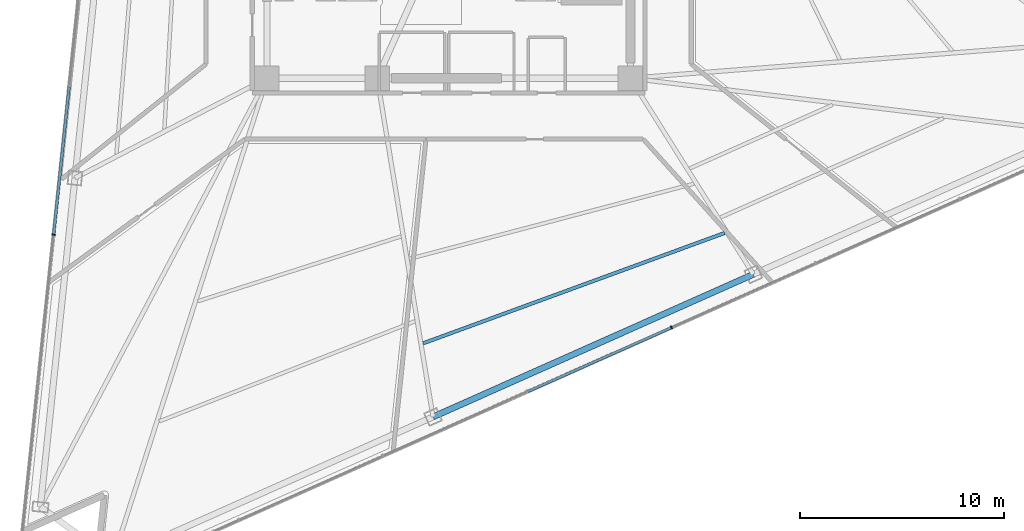
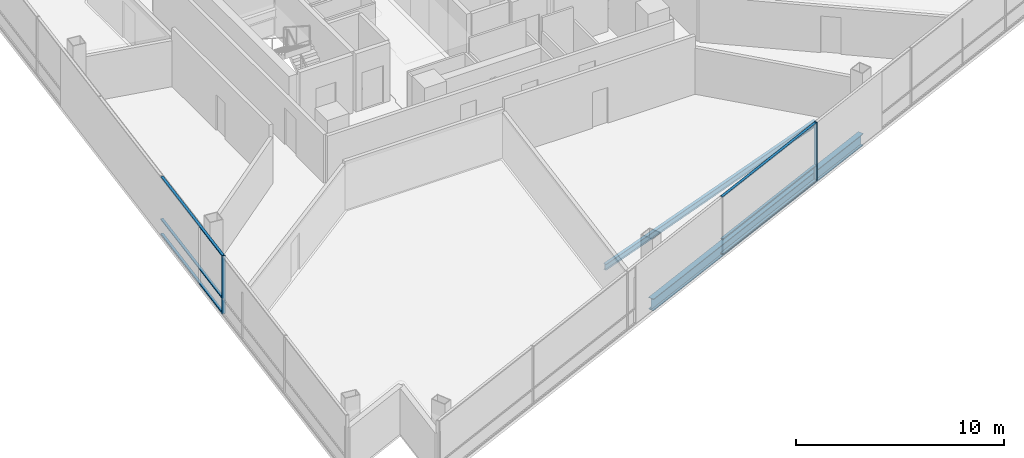
# One storey, part 3 of 19: 8 members, 2 beams, 2 elements without a shape of their own.
"""IFC4 building model written with IfcOpenShell, lengths in metres."""

from ifc_helpers import new_model, si_unit, direction, frame, origin, origin_2d, place, context, subcontext, project, spatial, rectangle, i_section, extrude, material, layer, layer_set, material_profile, profile_set, type_object, element, aggregate, save


model = new_model("IFC4")

# Units and contexts
model_context = context("Model", 3, precision=1e-05, world=origin(), true_north=direction((0.0, 1.0)))
body_context = subcontext(model_context, "Body", "Model", "MODEL_VIEW")
ifc_project = project(units=[si_unit("LENGTHUNIT", "METRE"), si_unit("AREAUNIT", "SQUARE_METRE"), si_unit("VOLUMEUNIT", "CUBIC_METRE"), si_unit("PLANEANGLEUNIT", "RADIAN"), si_unit("MASSUNIT", "GRAM", prefix="KILO")], contexts=[model_context])

# Site, building, storey
site_placement = place(None, origin())
site = spatial("IfcSite", under=ifc_project, at=site_placement, CompositionType="ELEMENT")
building_placement = place(site_placement, origin())
building = spatial("IfcBuilding", under=site, at=building_placement, Name="Tharavind Bronze Gate", CompositionType="ELEMENT")
storey_placement = place(building_placement, frame((0.0, 0.0, 126.85009765625)))
storey = spatial("IfcBuildingStorey", under=building, at=storey_placement, Name="L32", CompositionType="ELEMENT", Elevation=126.85009765625)

# Curtain wall, member
ifc_material_1 = material(Name="Anodised Bronze Aluminium", Category="aluminium")
ifc_layer = layer(ifc_material_1, 0.219970703125)
ifc_layer_set = layer_set([ifc_layer], Name="Anodised Bronze Aluminium")
curtain_wall_type = type_object("IfcCurtainWallType", Name="UNITISED CURTAIN WALL LOWER OFFICE", PredefinedType="USERDEFINED", material=ifc_layer_set)
curtain_wall_1_placement = place(storey_placement, origin())
curtain_wall_1 = element("IfcCurtainWall", 1, at=curtain_wall_1_placement, inside=storey, type_object=curtain_wall_type, Name="L32 unitised curtain wall lower office CW-L32-S1", ObjectType="UNITISED CURTAIN WALL", PredefinedType="USERDEFINED")
member_type_1 = type_object("IfcMemberType", Name="CURTAIN WALL BRONZE MULLION 65X180", PredefinedType="MULLION", material=ifc_material_1)
member_1_placement = place(storey_placement, frame((-19.349853515625, -15.2646484375, 0.0), z_axis=(0.0, 0.0, 1.0), x_axis=(-0.104526727499, -0.994522077803, 0.0)))
member_1 = element("IfcMember", 2, at=member_1_placement, type_object=member_type_1, Name="CW-L32-S1 mullion 6", PredefinedType="MULLION", context=body_context, shape_type="SweptSolid", body=[
    extrude(rectangle(XDim=0.06494140625, YDim=0.179931640625, at=origin_2d()), origin(), (0.0, 0.0, 1.0), 3.409912109375),
])

curtain_wall_2_placement = place(storey_placement, origin())
curtain_wall_2 = element("IfcCurtainWall", 3, at=curtain_wall_2_placement, inside=storey, type_object=curtain_wall_type, Name="L32 unitised curtain wall lower office CW-L32-S2", ObjectType="UNITISED CURTAIN WALL", PredefinedType="USERDEFINED")
member_2_placement = place(storey_placement, frame((10.913330078125, -19.80859375, 0.0), z_axis=(0.0, 0.0, 1.0), x_axis=(0.913545457643, 0.406736643076, 0.0)))
member_2 = element("IfcMember", 4, at=member_2_placement, type_object=member_type_1, Name="CW-L32-S2 mullion 5", PredefinedType="MULLION", context=body_context, shape_type="SweptSolid", body=[
    extrude(rectangle(XDim=0.06494140625, YDim=0.179931640625, at=origin_2d()), origin(), (0.0, 0.0, 1.0), 3.409912109375),
])

# Member
member_type_2 = type_object("IfcMemberType", Name="CURTAIN WALL BRONZE TRANSOM 65X140", PredefinedType="USERDEFINED", material=ifc_material_1)
member_3_placement = place(storey_placement, frame((-18.967529296875, -11.628173828125, 0.0), z_axis=(0.0, 0.0, 1.0), x_axis=(-0.104526727499, -0.994522077803, 0.0)))
member_3 = element("IfcMember", 5, at=member_3_placement, type_object=member_type_2, Name="CW-L32-S1 transom TB5", ObjectType="TRANSOM", PredefinedType="USERDEFINED", context=body_context, shape_type="SweptSolid", body=[
    extrude(rectangle(XDim=7.26025390625, YDim=0.139892578125, at=origin_2d()), origin(), (0.0, 0.0, 1.0), 0.06494140625),
])

member_4_placement = place(storey_placement, frame((-18.967529296875, -11.628173828125, 0.867431640625), z_axis=(0.0, 0.0, 1.0), x_axis=(-0.104526727499, -0.994522077803, 0.0)))
member_4 = element("IfcMember", 6, at=member_4_placement, type_object=member_type_2, Name="CW-L32-S1 transom TS5", ObjectType="TRANSOM", PredefinedType="USERDEFINED", context=body_context, shape_type="SweptSolid", body=[
    extrude(rectangle(XDim=7.26025390625, YDim=0.139892578125, at=origin_2d()), origin(), (0.0, 0.0, 1.0), 0.06494140625),
])

member_5_placement = place(storey_placement, frame((-18.967529296875, -11.628173828125, 3.344970703125), z_axis=(0.0, 0.0, 1.0), x_axis=(-0.104526727499, -0.994522077803, 0.0)))
member_5 = element("IfcMember", 7, at=member_5_placement, type_object=member_type_2, Name="CW-L32-S1 transom TT5", ObjectType="TRANSOM", PredefinedType="USERDEFINED", context=body_context, shape_type="SweptSolid", body=[
    extrude(rectangle(XDim=7.26025390625, YDim=0.139892578125, at=origin_2d()), origin(), (0.0, 0.0, 1.0), 0.06494140625),
])

aggregate(curtain_wall_1, [member_1, member_3, member_4, member_5])

member_6_placement = place(storey_placement, frame((7.38232421875, -21.380859375, 0.0), z_axis=(0.0, 0.0, 1.0), x_axis=(0.913545457643, 0.406736643076, 0.0)))
member_6 = element("IfcMember", 8, at=member_6_placement, type_object=member_type_2, Name="CW-L32-S2 transom TB4", ObjectType="TRANSOM", PredefinedType="USERDEFINED", context=body_context, shape_type="SweptSolid", body=[
    extrude(rectangle(XDim=7.677490234375, YDim=0.139892578125, at=origin_2d()), origin(), (0.0, 0.0, 1.0), 0.06494140625),
])

member_7_placement = place(storey_placement, frame((7.38232421875, -21.380859375, 0.867431640625), z_axis=(0.0, 0.0, 1.0), x_axis=(0.913545457643, 0.406736643076, 0.0)))
member_7 = element("IfcMember", 9, at=member_7_placement, type_object=member_type_2, Name="CW-L32-S2 transom TS4", ObjectType="TRANSOM", PredefinedType="USERDEFINED", context=body_context, shape_type="SweptSolid", body=[
    extrude(rectangle(XDim=7.677490234375, YDim=0.139892578125, at=origin_2d()), origin(), (0.0, 0.0, 1.0), 0.06494140625),
])

member_8_placement = place(storey_placement, frame((7.38232421875, -21.380859375, 3.344970703125), z_axis=(0.0, 0.0, 1.0), x_axis=(0.913545457643, 0.406736643076, 0.0)))
member_8 = element("IfcMember", 10, at=member_8_placement, type_object=member_type_2, Name="CW-L32-S2 transom TT4", ObjectType="TRANSOM", PredefinedType="USERDEFINED", context=body_context, shape_type="SweptSolid", body=[
    extrude(rectangle(XDim=7.677490234375, YDim=0.139892578125, at=origin_2d()), origin(), (0.0, 0.0, 1.0), 0.06494140625),
])

aggregate(curtain_wall_2, [member_2, member_6, member_7, member_8])

# Beams
ifc_material_2 = material(Name="Steel S355", Category="steel")
ifc_material_profile_1 = material_profile(ifc_material_2, i_section(OverallWidth=0.300048828125, OverallDepth=0.699951171875, WebThickness=0.01708984375, FlangeThickness=0.031982421875, at=origin_2d()), Name="HE700B")
ifc_profile_set_1 = profile_set([ifc_material_profile_1], Name="Steel S355")
beam_type_1 = type_object("IfcBeamType", Name="RING GIRDER HE700B", PredefinedType="USERDEFINED", material=ifc_profile_set_1)
beam_1_placement = place(storey_placement, frame((-0.766357421875, -24.18798828125, -0.5400390625), z_axis=(0.913546351362, 0.406734635744, 0.0), x_axis=(-0.406734635744, 0.913546351362, 0.0)))
element("IfcBeam", 11, at=beam_1_placement, inside=storey, type_object=beam_type_1, Name="L32 ring girder he700b BM-L32-PRG06", ObjectType="GIRDER", PredefinedType="USERDEFINED", context=body_context, shape_type="SweptSolid", body=[
    extrude(i_section(OverallWidth=0.300048828125, OverallDepth=0.699951171875, WebThickness=0.01708984375, FlangeThickness=0.031982421875, at=origin_2d()), origin(), (0.0, 0.0, 1.0), 17.171875),
])
ifc_material_profile_2 = material_profile(ifc_material_2, i_section(OverallWidth=0.169921875, OverallDepth=0.360107421875, WebThickness=0.008056640625, FlangeThickness=0.0126953125, at=origin_2d()), Name="IPE360")
ifc_profile_set_2 = profile_set([ifc_material_profile_2], Name="Steel S355")
beam_type_2 = type_object("IfcBeamType", Name="SECONDARY FLOOR JOIST IPE360", PredefinedType="JOIST", material=ifc_profile_set_2)
beam_2_placement = place(storey_placement, frame((-1.25, -20.58349609375, -0.3701171875), z_axis=(0.939077650043, 0.343705058428, 0.0), x_axis=(-0.343705058428, 0.939077650043, 0.0)))
element("IfcBeam", 12, at=beam_2_placement, inside=storey, type_object=beam_type_2, Name="L32 secondary floor joist ipe360 BM-L32-JSTB06", PredefinedType="JOIST", context=body_context, shape_type="SweptSolid", body=[
    extrude(i_section(OverallWidth=0.169921875, OverallDepth=0.360107421875, WebThickness=0.008056640625, FlangeThickness=0.0126953125, at=origin_2d()), origin(), (0.0, 0.0, 1.0), 15.72998046875),
])

save(model, "model.ifc")
